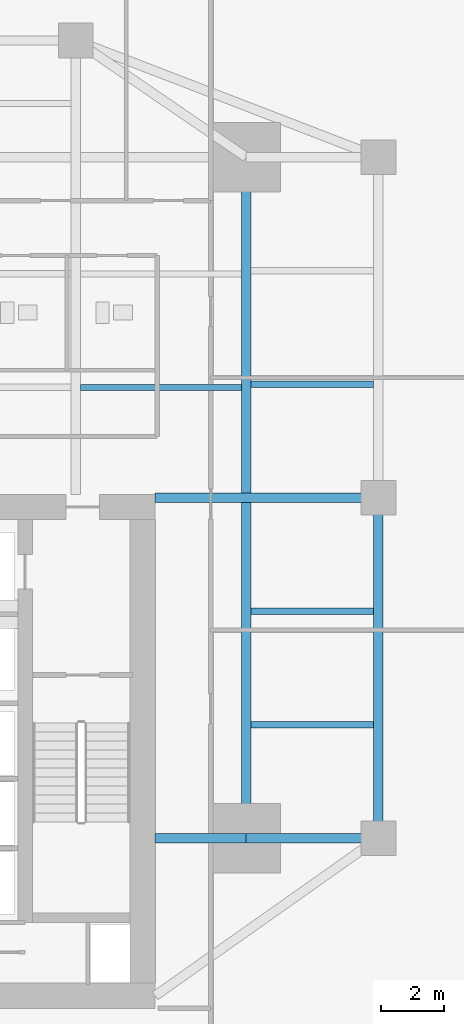
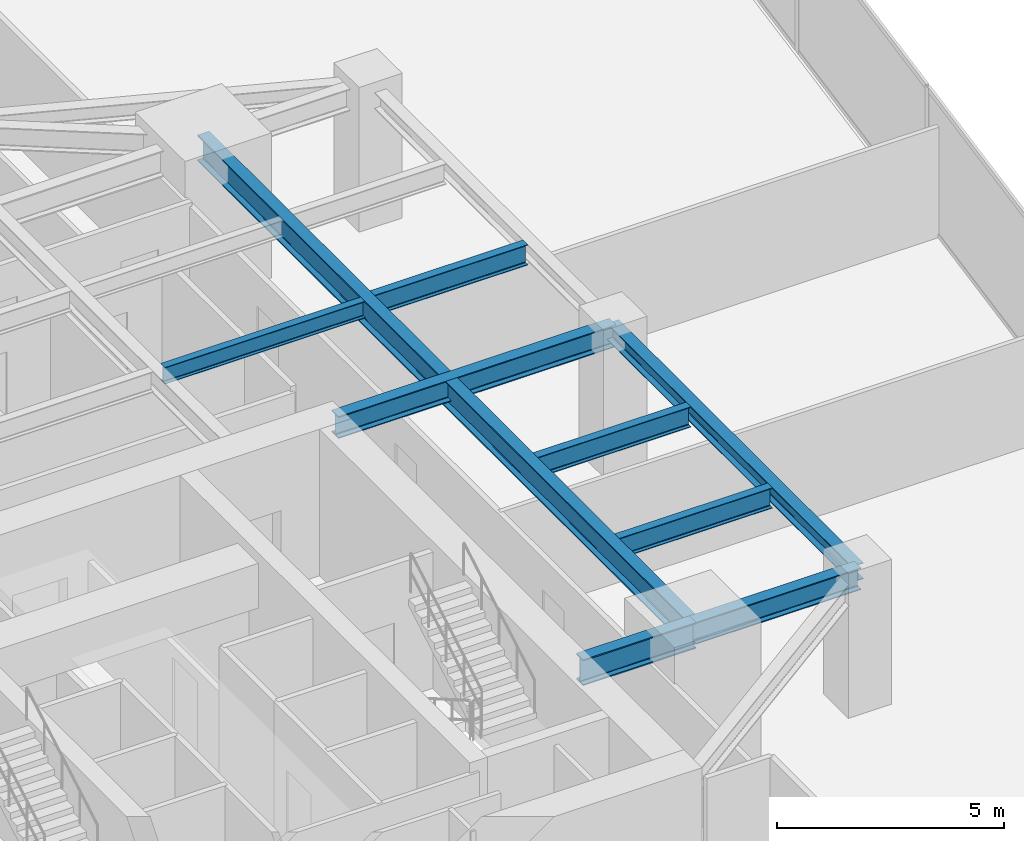
# One storey, part 13 of 31: 9 beams.
"""IFC4 building model written with IfcOpenShell, lengths in metres."""

from ifc_helpers import new_model, si_unit, direction, frame, origin, origin_2d, place, context, subcontext, project, spatial, i_section, extrude, source, transform, mapped, material, material_profile, profile_set, type_object, type_shapes, element, save


model = new_model("IFC4")

# Units and contexts
model_context = context("Model", 3, precision=1e-05, world=origin(), true_north=direction((0.0, 1.0)))
body_context = subcontext(model_context, "Body", "Model", "MODEL_VIEW")
ifc_project = project(units=[si_unit("LENGTHUNIT", "METRE"), si_unit("AREAUNIT", "SQUARE_METRE"), si_unit("VOLUMEUNIT", "CUBIC_METRE"), si_unit("PLANEANGLEUNIT", "RADIAN"), si_unit("MASSUNIT", "GRAM", prefix="KILO")], contexts=[model_context])

# Site, building, storey
site_placement = place(None, origin())
site = spatial("IfcSite", under=ifc_project, at=site_placement, CompositionType="ELEMENT")
building_placement = place(site_placement, origin())
building = spatial("IfcBuilding", under=site, at=building_placement, Name="Krantzveldt Concourse Tower", CompositionType="ELEMENT")
storey_placement = place(building_placement, frame((0.0, 0.0, 56.60009765625)))
storey = spatial("IfcBuildingStorey", under=building, at=storey_placement, Name="L13", CompositionType="ELEMENT", Elevation=56.60009765625)

# Beams
ifc_material_1 = material(Name="Steel S355J2", Category="steel")
ifc_material_profile_1 = material_profile(ifc_material_1, i_section(OverallWidth=0.300048828125, OverallDepth=0.699951171875, WebThickness=0.01708984375, FlangeThickness=0.031982421875, FilletRadius=0.027099609375, at=origin_2d()), Name="Steel S355J2", Category="steel")
ifc_profile_set_1 = profile_set([ifc_material_profile_1], Name="Steel S355J2 - HEB 700")
beam_type_1 = type_object("IfcBeamType", Name="BM-B-HEB700", PredefinedType="BEAM", material=ifc_profile_set_1)
shared_shape_1 = source(origin(), body_context, "Body", "SweptSolid", [
    extrude(i_section(OverallWidth=0.300048828125, OverallDepth=0.699951171875, WebThickness=0.01708984375, FlangeThickness=0.031982421875, FilletRadius=0.027099609375, at=origin_2d()), origin(), (0.0, 0.0, 1.0), 2.880126953125),
])
beam_1_placement = place(storey_placement, frame((43.919921875, 15.89990234375, 3.31982421875), z_axis=(1.0, 0.0, 0.0), x_axis=(0.0, 1.0, 0.0)))
element("IfcBeam", 1, at=beam_1_placement, inside=storey, type_object=beam_type_1, Name="L13 Tower Girder BG-CE1", PredefinedType="BEAM", context=body_context, shape_type="MappedRepresentation", body=[
    mapped(shared_shape_1, transform((0.0, 0.0, 0.0), x_axis=(1.0, 0.0, 0.0), y_axis=(0.0, 1.0, 0.0), z_axis=(0.0, 0.0, 1.0), scale=1.0)),
])
shared_shape_2 = source(origin(), body_context, "Body", "SweptSolid", [
    extrude(i_section(OverallWidth=0.300048828125, OverallDepth=0.699951171875, WebThickness=0.01708984375, FlangeThickness=0.031982421875, FilletRadius=0.027099609375, at=origin_2d()), origin(), (0.0, 0.0, 1.0), 21.60009765625),
])
type_shapes(beam_type_1, [shared_shape_1, shared_shape_2])
beam_2_placement = place(storey_placement, frame((46.800048828125, 15.89990234375, 3.31982421875), z_axis=(0.0, 1.0, 0.0), x_axis=(-1.0, 0.0, 0.0)))
element("IfcBeam", 2, at=beam_2_placement, inside=storey, type_object=beam_type_1, Name="L13 Tower Girder BG-ME", PredefinedType="BEAM", context=body_context, shape_type="MappedRepresentation", body=[
    mapped(shared_shape_2, transform((0.0, 0.0, 0.0), x_axis=(1.0, 0.0, 0.0), y_axis=(0.0, 1.0, 0.0), z_axis=(0.0, 0.0, 1.0), scale=1.0)),
])
ifc_material_2 = material(Name="Steel S355JR", Category="steel")
ifc_material_profile_2 = material_profile(ifc_material_2, i_section(OverallWidth=0.300048828125, OverallDepth=0.590087890625, WebThickness=0.012939453125, FlangeThickness=0.02490234375, FilletRadius=0.027099609375, at=origin_2d()), Name="Steel S355JR", Category="steel")
ifc_profile_set_2 = profile_set([ifc_material_profile_2], Name="Steel S355JR - HEA 600")
beam_type_2 = type_object("IfcBeamType", Name="BM-B-HEA600", PredefinedType="BEAM", material=ifc_profile_set_2)
shared_shape_3 = source(origin(), body_context, "Body", "SweptSolid", [
    extrude(i_section(OverallWidth=0.300048828125, OverallDepth=0.590087890625, WebThickness=0.012939453125, FlangeThickness=0.02490234375, FilletRadius=0.027099609375, at=origin_2d()), origin(), (0.0, 0.0, 1.0), 7.080078125),
])
beam_3_placement = place(storey_placement, frame((43.919921875, 26.699951171875, 3.375), z_axis=(1.0, 0.0, 0.0), x_axis=(0.0, 1.0, 0.0)))
element("IfcBeam", 3, at=beam_3_placement, inside=storey, type_object=beam_type_2, Name="L13 Tower Girder BG-CE2", PredefinedType="BEAM", context=body_context, shape_type="MappedRepresentation", body=[
    mapped(shared_shape_3, transform((0.0, 0.0, 0.0), x_axis=(1.0, 0.0, 0.0), y_axis=(0.0, 1.0, 0.0), z_axis=(0.0, 0.0, 1.0), scale=1.0)),
])
ifc_material_profile_3 = material_profile(ifc_material_2, i_section(OverallWidth=0.300048828125, OverallDepth=0.43994140625, WebThickness=0.011474609375, FlangeThickness=0.02099609375, FilletRadius=0.027099609375, at=origin_2d()), Name="Steel S355JR", Category="steel")
ifc_profile_set_3 = profile_set([ifc_material_profile_3], Name="Steel S355JR - HEA 450")
beam_type_3 = type_object("IfcBeamType", Name="BM-SP-HEA450", PredefinedType="SPANDREL", material=ifc_profile_set_3)
shared_shape_4 = source(origin(), body_context, "Body", "SweptSolid", [
    extrude(i_section(OverallWidth=0.300048828125, OverallDepth=0.43994140625, WebThickness=0.011474609375, FlangeThickness=0.02099609375, FilletRadius=0.027099609375, at=origin_2d()), origin(), (0.0, 0.0, 1.0), 10.800048828125),
])
type_shapes(beam_type_3, [shared_shape_4])
beam_4_placement = place(storey_placement, frame((51.0, 26.699951171875, 3.449951171875), z_axis=(0.0, -1.0, 0.0), x_axis=(1.0, 0.0, 0.0)))
element("IfcBeam", 4, at=beam_4_placement, inside=storey, type_object=beam_type_3, Name="L13 Tower Girder SP-R07", PredefinedType="SPANDREL", context=body_context, shape_type="MappedRepresentation", body=[
    mapped(shared_shape_4, transform((0.0, 0.0, 0.0), x_axis=(1.0, 0.0, 0.0), y_axis=(0.0, 1.0, 0.0), z_axis=(0.0, 0.0, 1.0), scale=1.0)),
])
shared_shape_5 = source(origin(), body_context, "Body", "SweptSolid", [
    extrude(i_section(OverallWidth=0.300048828125, OverallDepth=0.590087890625, WebThickness=0.012939453125, FlangeThickness=0.02490234375, FilletRadius=0.027099609375, at=origin_2d()), origin(), (0.0, 0.0, 1.0), 4.199951171875),
])
type_shapes(beam_type_2, [shared_shape_3, shared_shape_5])
beam_5_placement = place(storey_placement, frame((46.800048828125, 15.89990234375, 3.375), z_axis=(1.0, 0.0, 0.0), x_axis=(0.0, 1.0, 0.0)))
element("IfcBeam", 5, at=beam_5_placement, inside=storey, type_object=beam_type_2, Name="L13 Tower Girder BR-RR1", PredefinedType="BEAM", context=body_context, shape_type="MappedRepresentation", body=[
    mapped(shared_shape_5, transform((0.0, 0.0, 0.0), x_axis=(1.0, 0.0, 0.0), y_axis=(0.0, 1.0, 0.0), z_axis=(0.0, 0.0, 1.0), scale=1.0)),
])
ifc_material_profile_4 = material_profile(ifc_material_2, i_section(OverallWidth=0.18994140625, OverallDepth=0.449951171875, WebThickness=0.009521484375, FlangeThickness=0.0146484375, FilletRadius=0.02099609375, at=origin_2d()), Name="Steel S355JR", Category="steel")
ifc_profile_set_4 = profile_set([ifc_material_profile_4], Name="Steel S355JR - IPE 450")
beam_type_4 = type_object("IfcBeamType", Name="BM-J-IPE450", PredefinedType="JOIST", material=ifc_profile_set_4)
shared_shape_6 = source(origin(), body_context, "Body", "SweptSolid", [
    extrude(i_section(OverallWidth=0.18994140625, OverallDepth=0.449951171875, WebThickness=0.009521484375, FlangeThickness=0.0146484375, FilletRadius=0.02099609375, at=origin_2d()), origin(), (0.0, 0.0, 1.0), 5.099853515625),
])
type_shapes(beam_type_4, [shared_shape_6])
beam_6_placement = place(storey_placement, frame((41.550048828125, 30.199951171875, 3.44482421875), z_axis=(1.0, 0.0, 0.0), x_axis=(0.0, 1.0, 0.0)))
element("IfcBeam", 6, at=beam_6_placement, inside=storey, type_object=beam_type_4, Name="L13 Secondary Floor Joist JN-E1", PredefinedType="JOIST", context=body_context, shape_type="MappedRepresentation", body=[
    mapped(shared_shape_6, transform((0.0, 0.0, 0.0), x_axis=(1.0, 0.0, 0.0), y_axis=(0.0, 1.0, 0.0), z_axis=(0.0, 0.0, 1.0), scale=1.0)),
])
ifc_material_profile_5 = material_profile(ifc_material_2, i_section(OverallWidth=0.2099609375, OverallDepth=0.550048828125, WebThickness=0.010986328125, FlangeThickness=0.01708984375, FilletRadius=0.02392578125, at=origin_2d()), Name="Steel S355JR", Category="steel")
ifc_profile_set_5 = profile_set([ifc_material_profile_5], Name="Steel S355JR - IPE 550")
beam_type_5 = type_object("IfcBeamType", Name="BM-J-IPE550", PredefinedType="JOIST", material=ifc_profile_set_5)
shared_shape_7 = source(origin(), body_context, "Body", "SweptSolid", [
    extrude(i_section(OverallWidth=0.2099609375, OverallDepth=0.550048828125, WebThickness=0.010986328125, FlangeThickness=0.01708984375, FilletRadius=0.02392578125, at=origin_2d()), origin(), (0.0, 0.0, 1.0), 3.900146484375),
])
type_shapes(beam_type_5, [shared_shape_7])
for number, where, z_axis, x_axis, name in (
    (7, (46.949951171875, 19.5, 3.39501953125), (1.0, 0.0, 0.0), (0.0, 1.0, 0.0), "L13 Secondary Floor Joist JE-1"),
    (8, (46.949951171875, 23.10009765625, 3.39501953125), (1.0, 0.0, 0.0), (0.0, 1.0, 0.0), "L13 Secondary Floor Joist JE-2"),
    (9, (46.949951171875, 30.300048828125, 3.39501953125), (1.0, 0.0, 0.0), (0.0, 1.0, 0.0), "L13 Secondary Floor Joist JE-3"),
):
    element("IfcBeam", number, at=place(storey_placement, frame(where, z_axis=z_axis, x_axis=x_axis)), inside=storey, type_object=beam_type_5, Name=name, PredefinedType="JOIST", context=body_context, shape_type="MappedRepresentation", body=[
        mapped(shared_shape_7, transform((0.0, 0.0, 0.0), x_axis=(1.0, 0.0, 0.0), y_axis=(0.0, 1.0, 0.0), z_axis=(0.0, 0.0, 1.0), scale=1.0)),
    ])

save(model, "model.ifc")
